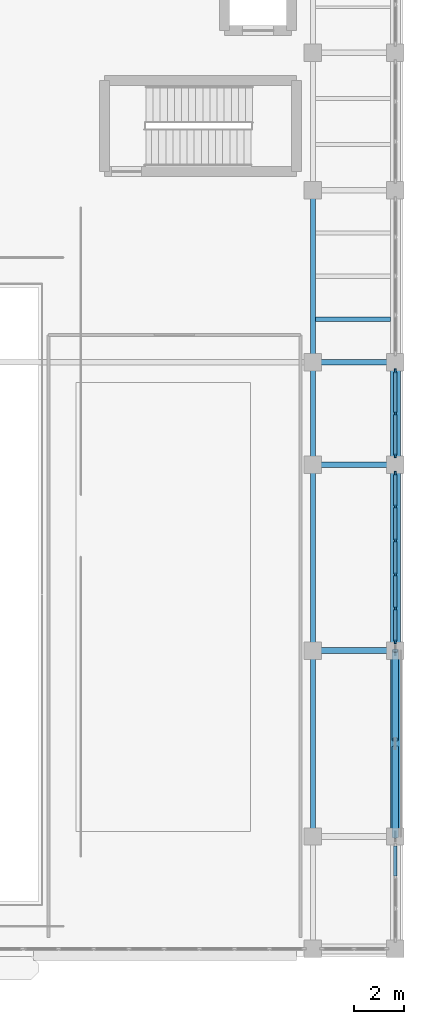
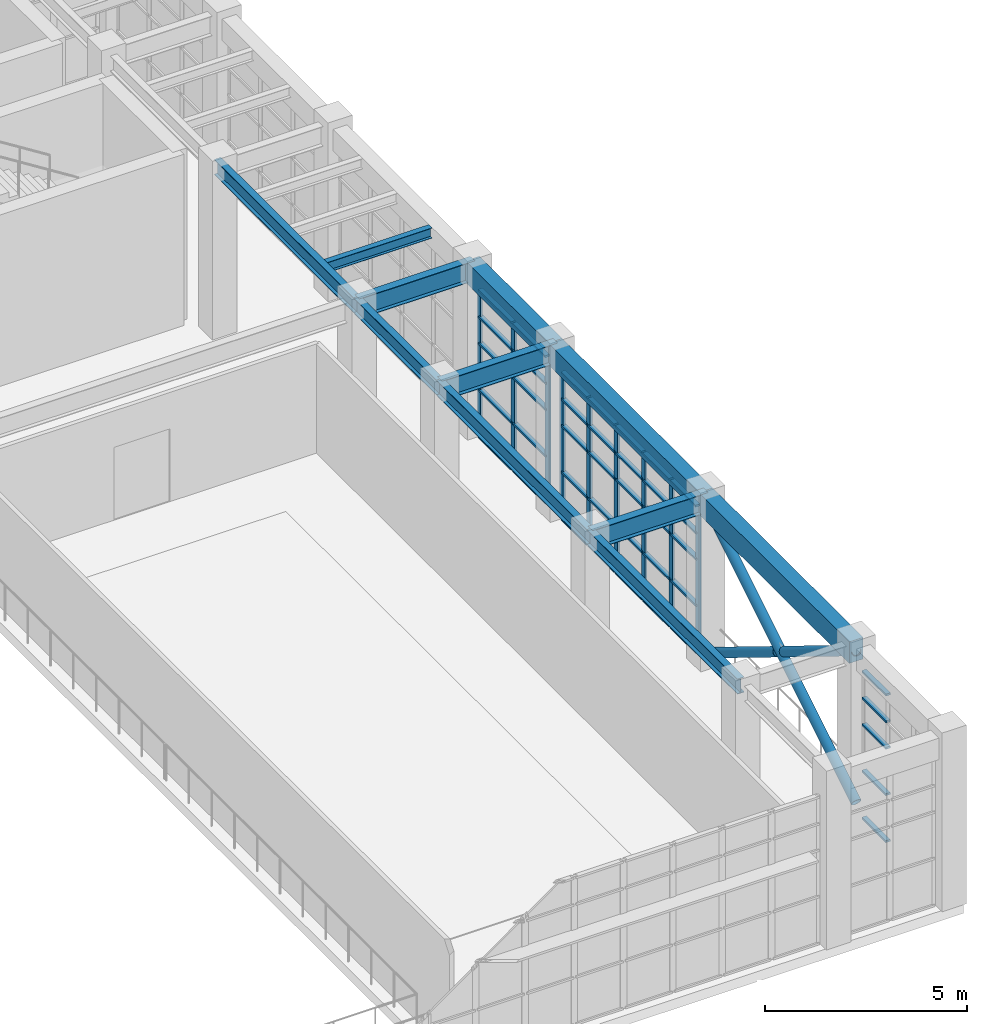
# One storey, part 41 of 103: 52 members, 11 beams, 3 elements without a shape of their own.
"""IFC4 building model written with IfcOpenShell, lengths in metres."""

from ifc_helpers import new_model, si_unit, direction, frame, origin, origin_2d, place, context, subcontext, project, spatial, rectangle, hollow_circle, i_section, extrude, material, layer, layer_set, material_profile, profile_set, type_object, element, aggregate, save


model = new_model("IFC4")

# Units and contexts
model_context = context("Model", 3, precision=1e-05, world=origin(), true_north=direction((0.0, 1.0)))
body_context = subcontext(model_context, "Body", "Model", "MODEL_VIEW")
ifc_project = project(units=[si_unit("LENGTHUNIT", "METRE"), si_unit("AREAUNIT", "SQUARE_METRE"), si_unit("VOLUMEUNIT", "CUBIC_METRE"), si_unit("PLANEANGLEUNIT", "RADIAN"), si_unit("MASSUNIT", "GRAM", prefix="KILO")], contexts=[model_context])

# Site, building, storey
site_placement = place(None, origin())
site = spatial("IfcSite", under=ifc_project, at=site_placement, CompositionType="ELEMENT")
building_placement = place(site_placement, origin())
building = spatial("IfcBuilding", under=site, at=building_placement, Name="Candilejo Ridge Gondola Terminal", CompositionType="ELEMENT")
storey_placement = place(building_placement, frame((0.0, 0.0, 9.0)))
storey = spatial("IfcBuildingStorey", under=building, at=storey_placement, Name="L02", CompositionType="ELEMENT", Elevation=9.0)

# Curtain wall, members
ifc_material_1 = material(Name="Anodised aluminium AA 6063-T6", Category="aluminium")
ifc_layer_1 = layer(ifc_material_1, 0.169921875)
ifc_layer_set_1 = layer_set([ifc_layer_1], Name="ARC-CW-HALL-3800-680X449")
curtain_wall_type_1 = type_object("IfcCurtainWallType", Name="ARC-CW-HALL-3800-680X449", PredefinedType="NOTDEFINED", material=ifc_layer_set_1)
curtain_wall_1_placement = place(storey_placement, origin())
curtain_wall_1 = element("IfcCurtainWall", 1, at=curtain_wall_1_placement, inside=storey, type_object=curtain_wall_type_1, Name="Curtain wall V4 L02-136", PredefinedType="NOTDEFINED")
ifc_material_2 = material(Name="Anodised aluminium AA 6063-T6", Category="aluminium")
ifc_material_profile_1 = material_profile(ifc_material_2, rectangle(XDim=0.06494140625, YDim=0.179931640625, at=origin_2d()))
ifc_profile_set_1 = profile_set([ifc_material_profile_1], Name="Anodised aluminium AA 6063-T6")
member_type_1 = type_object("IfcMemberType", Name="ARC-CW-MULLION-180", PredefinedType="MULLION", material=ifc_profile_set_1)
member_1_placement = place(storey_placement, frame((175.300048828125, 18.607421875, 0.0), z_axis=(0.0, 0.0, 1.0), x_axis=(-1.0, 0.0, 0.0)))
member_1 = element("IfcMember", 2, at=member_1_placement, type_object=member_type_1, Name="CW-68X44 mullion 1", PredefinedType="MULLION", context=body_context, shape_type="SweptSolid", body=[
    extrude(rectangle(XDim=0.06494140625, YDim=0.179931640625, at=origin_2d()), origin(), (0.0, 0.0, 1.0), 4.489990234375),
])
member_2_placement = place(storey_placement, frame((175.300048828125, 19.93505859375, 0.0), z_axis=(0.0, 0.0, 1.0), x_axis=(-1.0, 0.0, 0.0)))
member_2 = element("IfcMember", 3, at=member_2_placement, type_object=member_type_1, Name="CW-68X44 mullion 2", PredefinedType="MULLION", context=body_context, shape_type="SweptSolid", body=[
    extrude(rectangle(XDim=0.06494140625, YDim=0.179931640625, at=origin_2d()), origin(), (0.0, 0.0, 1.0), 4.489990234375),
])
member_3_placement = place(storey_placement, frame((175.300048828125, 21.294921875, 0.0), z_axis=(0.0, 0.0, 1.0), x_axis=(-1.0, 0.0, 0.0)))
member_3 = element("IfcMember", 4, at=member_3_placement, type_object=member_type_1, Name="CW-68X44 mullion 3", PredefinedType="MULLION", context=body_context, shape_type="SweptSolid", body=[
    extrude(rectangle(XDim=0.06494140625, YDim=0.179931640625, at=origin_2d()), origin(), (0.0, 0.0, 1.0), 4.489990234375),
])
member_4_placement = place(storey_placement, frame((175.300048828125, 22.655029296875, 0.0), z_axis=(0.0, 0.0, 1.0), x_axis=(-1.0, 0.0, 0.0)))
member_4 = element("IfcMember", 5, at=member_4_placement, type_object=member_type_1, Name="CW-68X44 mullion 4", PredefinedType="MULLION", context=body_context, shape_type="SweptSolid", body=[
    extrude(rectangle(XDim=0.06494140625, YDim=0.179931640625, at=origin_2d()), origin(), (0.0, 0.0, 1.0), 4.489990234375),
])
member_5_placement = place(storey_placement, frame((175.300048828125, 24.014892578125, 0.0), z_axis=(0.0, 0.0, 1.0), x_axis=(-1.0, 0.0, 0.0)))
member_5 = element("IfcMember", 6, at=member_5_placement, type_object=member_type_1, Name="CW-68X44 mullion 5", PredefinedType="MULLION", context=body_context, shape_type="SweptSolid", body=[
    extrude(rectangle(XDim=0.06494140625, YDim=0.179931640625, at=origin_2d()), origin(), (0.0, 0.0, 1.0), 4.489990234375),
])
member_6_placement = place(storey_placement, frame((175.300048828125, 25.342529296875, 0.0), z_axis=(0.0, 0.0, 1.0), x_axis=(-1.0, 0.0, 0.0)))
member_6 = element("IfcMember", 7, at=member_6_placement, type_object=member_type_1, Name="CW-68X44 mullion 6", PredefinedType="MULLION", context=body_context, shape_type="SweptSolid", body=[
    extrude(rectangle(XDim=0.06494140625, YDim=0.179931640625, at=origin_2d()), origin(), (0.0, 0.0, 1.0), 4.489990234375),
])

ifc_material_3 = material(Name="Anodised aluminium AA 6063-T6", Category="aluminium")
ifc_layer_2 = layer(ifc_material_3, 0.169921875)
ifc_layer_set_2 = layer_set([ifc_layer_2], Name="ARC-CW-HALL-3800-345X449")
curtain_wall_type_2 = type_object("IfcCurtainWallType", Name="ARC-CW-HALL-3800-345X449", PredefinedType="NOTDEFINED", material=ifc_layer_set_2)
curtain_wall_2_placement = place(storey_placement, origin())
curtain_wall_2 = element("IfcCurtainWall", 8, at=curtain_wall_2_placement, inside=storey, type_object=curtain_wall_type_2, Name="Curtain wall V4 L02-138", PredefinedType="NOTDEFINED")
member_7_placement = place(storey_placement, frame((175.300048828125, 26.0576171875, 0.0), z_axis=(0.0, 0.0, 1.0), x_axis=(-1.0, 0.0, 0.0)))
member_7 = element("IfcMember", 9, at=member_7_placement, type_object=member_type_1, Name="CW-34X44 mullion 1", PredefinedType="MULLION", context=body_context, shape_type="SweptSolid", body=[
    extrude(rectangle(XDim=0.06494140625, YDim=0.179931640625, at=origin_2d()), origin(), (0.0, 0.0, 1.0), 4.489990234375),
])
member_8_placement = place(storey_placement, frame((175.300048828125, 27.75, 0.0), z_axis=(0.0, 0.0, 1.0), x_axis=(-1.0, 0.0, 0.0)))
member_8 = element("IfcMember", 10, at=member_8_placement, type_object=member_type_1, Name="CW-34X44 mullion 2", PredefinedType="MULLION", context=body_context, shape_type="SweptSolid", body=[
    extrude(rectangle(XDim=0.06494140625, YDim=0.179931640625, at=origin_2d()), origin(), (0.0, 0.0, 1.0), 4.489990234375),
])
member_9_placement = place(storey_placement, frame((175.300048828125, 29.4423828125, 0.0), z_axis=(0.0, 0.0, 1.0), x_axis=(-1.0, 0.0, 0.0)))
member_9 = element("IfcMember", 11, at=member_9_placement, type_object=member_type_1, Name="CW-34X44 mullion 3", PredefinedType="MULLION", context=body_context, shape_type="SweptSolid", body=[
    extrude(rectangle(XDim=0.06494140625, YDim=0.179931640625, at=origin_2d()), origin(), (0.0, 0.0, 1.0), 4.489990234375),
])

ifc_material_4 = material(Name="Anodised aluminium AA 6063-T6", Category="aluminium")
ifc_layer_3 = layer(ifc_material_4, 0.169921875)
ifc_layer_set_3 = layer_set([ifc_layer_3], Name="ARC-CW-HALL-3800-385X449")
curtain_wall_type_3 = type_object("IfcCurtainWallType", Name="ARC-CW-HALL-3800-385X449", PredefinedType="NOTDEFINED", material=ifc_layer_set_3)
curtain_wall_3_placement = place(storey_placement, origin())
curtain_wall_3 = element("IfcCurtainWall", 12, at=curtain_wall_3_placement, inside=storey, type_object=curtain_wall_type_3, Name="Curtain wall V4 L02-133", PredefinedType="NOTDEFINED")
ifc_material_5 = material(Name="Anodised aluminium AA 6063-T6", Category="aluminium")
ifc_material_profile_2 = material_profile(ifc_material_5, rectangle(XDim=0.1298828125, YDim=0.06005859375, at=origin_2d()))
ifc_profile_set_2 = profile_set([ifc_material_profile_2], Name="Anodised aluminium AA 6063-T6")
member_type_2 = type_object("IfcMemberType", Name="ARC-CW-TRANSOM-130", PredefinedType="USERDEFINED", material=ifc_profile_set_2)
member_10_placement = place(storey_placement, frame((175.300048828125, 9.22412109375, 0.030029296875), z_axis=(0.0, 1.0, 0.0), x_axis=(-1.0, 0.0, 0.0)))
member_10 = element("IfcMember", 13, at=member_10_placement, type_object=member_type_2, Name="CW-38X44 transom 3.1", ObjectType="TRANSOM", PredefinedType="USERDEFINED", context=body_context, shape_type="SweptSolid", body=[
    extrude(rectangle(XDim=0.1298828125, YDim=0.06005859375, at=origin_2d()), origin(), (0.0, 0.0, 1.0), 1.185791015625),
])
member_11_placement = place(storey_placement, frame((175.300048828125, 9.22412109375, 1.449951171875), z_axis=(0.0, 1.0, 0.0), x_axis=(-1.0, 0.0, 0.0)))
member_11 = element("IfcMember", 14, at=member_11_placement, type_object=member_type_2, Name="CW-38X44 transom 3.2", ObjectType="TRANSOM", PredefinedType="USERDEFINED", context=body_context, shape_type="SweptSolid", body=[
    extrude(rectangle(XDim=0.1298828125, YDim=0.06005859375, at=origin_2d()), origin(), (0.0, 0.0, 1.0), 1.185791015625),
])
member_12_placement = place(storey_placement, frame((175.300048828125, 9.22412109375, 2.85009765625), z_axis=(0.0, 1.0, 0.0), x_axis=(-1.0, 0.0, 0.0)))
member_12 = element("IfcMember", 15, at=member_12_placement, type_object=member_type_2, Name="CW-38X44 transom 3.3", ObjectType="TRANSOM", PredefinedType="USERDEFINED", context=body_context, shape_type="SweptSolid", body=[
    extrude(rectangle(XDim=0.1298828125, YDim=0.06005859375, at=origin_2d()), origin(), (0.0, 0.0, 1.0), 1.185791015625),
])
member_13_placement = place(storey_placement, frame((175.300048828125, 9.22412109375, 3.64990234375), z_axis=(0.0, 1.0, 0.0), x_axis=(-1.0, 0.0, 0.0)))
member_13 = element("IfcMember", 16, at=member_13_placement, type_object=member_type_2, Name="CW-38X44 transom 3.4", ObjectType="TRANSOM", PredefinedType="USERDEFINED", context=body_context, shape_type="SweptSolid", body=[
    extrude(rectangle(XDim=0.1298828125, YDim=0.06005859375, at=origin_2d()), origin(), (0.0, 0.0, 1.0), 1.185791015625),
])
member_14_placement = place(storey_placement, frame((175.300048828125, 9.22412109375, 4.4599609375), z_axis=(0.0, 1.0, 0.0), x_axis=(-1.0, 0.0, 0.0)))
member_14 = element("IfcMember", 17, at=member_14_placement, type_object=member_type_2, Name="CW-38X44 transom 3.5", ObjectType="TRANSOM", PredefinedType="USERDEFINED", context=body_context, shape_type="SweptSolid", body=[
    extrude(rectangle(XDim=0.1298828125, YDim=0.06005859375, at=origin_2d()), origin(), (0.0, 0.0, 1.0), 1.185791015625),
])
aggregate(curtain_wall_3, [member_10, member_11, member_12, member_13, member_14])

# Member
member_15_placement = place(storey_placement, frame((175.300048828125, 18.639892578125, 0.030029296875), z_axis=(0.0, 1.0, 0.0), x_axis=(-1.0, 0.0, 0.0)))
member_15 = element("IfcMember", 18, at=member_15_placement, type_object=member_type_2, Name="CW-68X44 transom 1.1", ObjectType="TRANSOM", PredefinedType="USERDEFINED", context=body_context, shape_type="SweptSolid", body=[
    extrude(rectangle(XDim=0.1298828125, YDim=0.06005859375, at=origin_2d()), origin(), (0.0, 0.0, 1.0), 1.2626953125),
])

member_16_placement = place(storey_placement, frame((175.300048828125, 18.639892578125, 1.449951171875), z_axis=(0.0, 1.0, 0.0), x_axis=(-1.0, 0.0, 0.0)))
member_16 = element("IfcMember", 19, at=member_16_placement, type_object=member_type_2, Name="CW-68X44 transom 1.2", ObjectType="TRANSOM", PredefinedType="USERDEFINED", context=body_context, shape_type="SweptSolid", body=[
    extrude(rectangle(XDim=0.1298828125, YDim=0.06005859375, at=origin_2d()), origin(), (0.0, 0.0, 1.0), 1.2626953125),
])

member_17_placement = place(storey_placement, frame((175.300048828125, 18.639892578125, 2.85009765625), z_axis=(0.0, 1.0, 0.0), x_axis=(-1.0, 0.0, 0.0)))
member_17 = element("IfcMember", 20, at=member_17_placement, type_object=member_type_2, Name="CW-68X44 transom 1.3", ObjectType="TRANSOM", PredefinedType="USERDEFINED", context=body_context, shape_type="SweptSolid", body=[
    extrude(rectangle(XDim=0.1298828125, YDim=0.06005859375, at=origin_2d()), origin(), (0.0, 0.0, 1.0), 1.2626953125),
])

member_18_placement = place(storey_placement, frame((175.300048828125, 18.639892578125, 3.64990234375), z_axis=(0.0, 1.0, 0.0), x_axis=(-1.0, 0.0, 0.0)))
member_18 = element("IfcMember", 21, at=member_18_placement, type_object=member_type_2, Name="CW-68X44 transom 1.4", ObjectType="TRANSOM", PredefinedType="USERDEFINED", context=body_context, shape_type="SweptSolid", body=[
    extrude(rectangle(XDim=0.1298828125, YDim=0.06005859375, at=origin_2d()), origin(), (0.0, 0.0, 1.0), 1.2626953125),
])

member_19_placement = place(storey_placement, frame((175.300048828125, 18.639892578125, 4.4599609375), z_axis=(0.0, 1.0, 0.0), x_axis=(-1.0, 0.0, 0.0)))
member_19 = element("IfcMember", 22, at=member_19_placement, type_object=member_type_2, Name="CW-68X44 transom 1.5", ObjectType="TRANSOM", PredefinedType="USERDEFINED", context=body_context, shape_type="SweptSolid", body=[
    extrude(rectangle(XDim=0.1298828125, YDim=0.06005859375, at=origin_2d()), origin(), (0.0, 0.0, 1.0), 1.2626953125),
])

member_20_placement = place(storey_placement, frame((175.300048828125, 19.967529296875, 0.030029296875), z_axis=(0.0, 1.0, 0.0), x_axis=(-1.0, 0.0, 0.0)))
member_20 = element("IfcMember", 23, at=member_20_placement, type_object=member_type_2, Name="CW-68X44 transom 2.1", ObjectType="TRANSOM", PredefinedType="USERDEFINED", context=body_context, shape_type="SweptSolid", body=[
    extrude(rectangle(XDim=0.1298828125, YDim=0.06005859375, at=origin_2d()), origin(), (0.0, 0.0, 1.0), 1.294921875),
])

member_21_placement = place(storey_placement, frame((175.300048828125, 19.967529296875, 1.449951171875), z_axis=(0.0, 1.0, 0.0), x_axis=(-1.0, 0.0, 0.0)))
member_21 = element("IfcMember", 24, at=member_21_placement, type_object=member_type_2, Name="CW-68X44 transom 2.2", ObjectType="TRANSOM", PredefinedType="USERDEFINED", context=body_context, shape_type="SweptSolid", body=[
    extrude(rectangle(XDim=0.1298828125, YDim=0.06005859375, at=origin_2d()), origin(), (0.0, 0.0, 1.0), 1.294921875),
])

member_22_placement = place(storey_placement, frame((175.300048828125, 19.967529296875, 2.85009765625), z_axis=(0.0, 1.0, 0.0), x_axis=(-1.0, 0.0, 0.0)))
member_22 = element("IfcMember", 25, at=member_22_placement, type_object=member_type_2, Name="CW-68X44 transom 2.3", ObjectType="TRANSOM", PredefinedType="USERDEFINED", context=body_context, shape_type="SweptSolid", body=[
    extrude(rectangle(XDim=0.1298828125, YDim=0.06005859375, at=origin_2d()), origin(), (0.0, 0.0, 1.0), 1.294921875),
])

member_23_placement = place(storey_placement, frame((175.300048828125, 19.967529296875, 3.64990234375), z_axis=(0.0, 1.0, 0.0), x_axis=(-1.0, 0.0, 0.0)))
member_23 = element("IfcMember", 26, at=member_23_placement, type_object=member_type_2, Name="CW-68X44 transom 2.4", ObjectType="TRANSOM", PredefinedType="USERDEFINED", context=body_context, shape_type="SweptSolid", body=[
    extrude(rectangle(XDim=0.1298828125, YDim=0.06005859375, at=origin_2d()), origin(), (0.0, 0.0, 1.0), 1.294921875),
])

member_24_placement = place(storey_placement, frame((175.300048828125, 19.967529296875, 4.4599609375), z_axis=(0.0, 1.0, 0.0), x_axis=(-1.0, 0.0, 0.0)))
member_24 = element("IfcMember", 27, at=member_24_placement, type_object=member_type_2, Name="CW-68X44 transom 2.5", ObjectType="TRANSOM", PredefinedType="USERDEFINED", context=body_context, shape_type="SweptSolid", body=[
    extrude(rectangle(XDim=0.1298828125, YDim=0.06005859375, at=origin_2d()), origin(), (0.0, 0.0, 1.0), 1.294921875),
])

member_25_placement = place(storey_placement, frame((175.300048828125, 21.327392578125, 0.030029296875), z_axis=(0.0, 1.0, 0.0), x_axis=(-1.0, 0.0, 0.0)))
member_25 = element("IfcMember", 28, at=member_25_placement, type_object=member_type_2, Name="CW-68X44 transom 3.1", ObjectType="TRANSOM", PredefinedType="USERDEFINED", context=body_context, shape_type="SweptSolid", body=[
    extrude(rectangle(XDim=0.1298828125, YDim=0.06005859375, at=origin_2d()), origin(), (0.0, 0.0, 1.0), 1.295166015625),
])

member_26_placement = place(storey_placement, frame((175.300048828125, 21.327392578125, 1.449951171875), z_axis=(0.0, 1.0, 0.0), x_axis=(-1.0, 0.0, 0.0)))
member_26 = element("IfcMember", 29, at=member_26_placement, type_object=member_type_2, Name="CW-68X44 transom 3.2", ObjectType="TRANSOM", PredefinedType="USERDEFINED", context=body_context, shape_type="SweptSolid", body=[
    extrude(rectangle(XDim=0.1298828125, YDim=0.06005859375, at=origin_2d()), origin(), (0.0, 0.0, 1.0), 1.295166015625),
])

member_27_placement = place(storey_placement, frame((175.300048828125, 21.327392578125, 2.85009765625), z_axis=(0.0, 1.0, 0.0), x_axis=(-1.0, 0.0, 0.0)))
member_27 = element("IfcMember", 30, at=member_27_placement, type_object=member_type_2, Name="CW-68X44 transom 3.3", ObjectType="TRANSOM", PredefinedType="USERDEFINED", context=body_context, shape_type="SweptSolid", body=[
    extrude(rectangle(XDim=0.1298828125, YDim=0.06005859375, at=origin_2d()), origin(), (0.0, 0.0, 1.0), 1.295166015625),
])

member_28_placement = place(storey_placement, frame((175.300048828125, 21.327392578125, 3.64990234375), z_axis=(0.0, 1.0, 0.0), x_axis=(-1.0, 0.0, 0.0)))
member_28 = element("IfcMember", 31, at=member_28_placement, type_object=member_type_2, Name="CW-68X44 transom 3.4", ObjectType="TRANSOM", PredefinedType="USERDEFINED", context=body_context, shape_type="SweptSolid", body=[
    extrude(rectangle(XDim=0.1298828125, YDim=0.06005859375, at=origin_2d()), origin(), (0.0, 0.0, 1.0), 1.295166015625),
])

member_29_placement = place(storey_placement, frame((175.300048828125, 21.327392578125, 4.4599609375), z_axis=(0.0, 1.0, 0.0), x_axis=(-1.0, 0.0, 0.0)))
member_29 = element("IfcMember", 32, at=member_29_placement, type_object=member_type_2, Name="CW-68X44 transom 3.5", ObjectType="TRANSOM", PredefinedType="USERDEFINED", context=body_context, shape_type="SweptSolid", body=[
    extrude(rectangle(XDim=0.1298828125, YDim=0.06005859375, at=origin_2d()), origin(), (0.0, 0.0, 1.0), 1.295166015625),
])

member_30_placement = place(storey_placement, frame((175.300048828125, 22.6875, 0.030029296875), z_axis=(0.0, 1.0, 0.0), x_axis=(-1.0, 0.0, 0.0)))
member_30 = element("IfcMember", 33, at=member_30_placement, type_object=member_type_2, Name="CW-68X44 transom 4.1", ObjectType="TRANSOM", PredefinedType="USERDEFINED", context=body_context, shape_type="SweptSolid", body=[
    extrude(rectangle(XDim=0.1298828125, YDim=0.06005859375, at=origin_2d()), origin(), (0.0, 0.0, 1.0), 1.294921875),
])

member_31_placement = place(storey_placement, frame((175.300048828125, 22.6875, 1.449951171875), z_axis=(0.0, 1.0, 0.0), x_axis=(-1.0, 0.0, 0.0)))
member_31 = element("IfcMember", 34, at=member_31_placement, type_object=member_type_2, Name="CW-68X44 transom 4.2", ObjectType="TRANSOM", PredefinedType="USERDEFINED", context=body_context, shape_type="SweptSolid", body=[
    extrude(rectangle(XDim=0.1298828125, YDim=0.06005859375, at=origin_2d()), origin(), (0.0, 0.0, 1.0), 1.294921875),
])

member_32_placement = place(storey_placement, frame((175.300048828125, 22.6875, 2.85009765625), z_axis=(0.0, 1.0, 0.0), x_axis=(-1.0, 0.0, 0.0)))
member_32 = element("IfcMember", 35, at=member_32_placement, type_object=member_type_2, Name="CW-68X44 transom 4.3", ObjectType="TRANSOM", PredefinedType="USERDEFINED", context=body_context, shape_type="SweptSolid", body=[
    extrude(rectangle(XDim=0.1298828125, YDim=0.06005859375, at=origin_2d()), origin(), (0.0, 0.0, 1.0), 1.294921875),
])

member_33_placement = place(storey_placement, frame((175.300048828125, 22.6875, 3.64990234375), z_axis=(0.0, 1.0, 0.0), x_axis=(-1.0, 0.0, 0.0)))
member_33 = element("IfcMember", 36, at=member_33_placement, type_object=member_type_2, Name="CW-68X44 transom 4.4", ObjectType="TRANSOM", PredefinedType="USERDEFINED", context=body_context, shape_type="SweptSolid", body=[
    extrude(rectangle(XDim=0.1298828125, YDim=0.06005859375, at=origin_2d()), origin(), (0.0, 0.0, 1.0), 1.294921875),
])

member_34_placement = place(storey_placement, frame((175.300048828125, 22.6875, 4.4599609375), z_axis=(0.0, 1.0, 0.0), x_axis=(-1.0, 0.0, 0.0)))
member_34 = element("IfcMember", 37, at=member_34_placement, type_object=member_type_2, Name="CW-68X44 transom 4.5", ObjectType="TRANSOM", PredefinedType="USERDEFINED", context=body_context, shape_type="SweptSolid", body=[
    extrude(rectangle(XDim=0.1298828125, YDim=0.06005859375, at=origin_2d()), origin(), (0.0, 0.0, 1.0), 1.294921875),
])

member_35_placement = place(storey_placement, frame((175.300048828125, 24.047607421875, 0.030029296875), z_axis=(0.0, 1.0, 0.0), x_axis=(-1.0, 0.0, 0.0)))
member_35 = element("IfcMember", 38, at=member_35_placement, type_object=member_type_2, Name="CW-68X44 transom 5.1", ObjectType="TRANSOM", PredefinedType="USERDEFINED", context=body_context, shape_type="SweptSolid", body=[
    extrude(rectangle(XDim=0.1298828125, YDim=0.06005859375, at=origin_2d()), origin(), (0.0, 0.0, 1.0), 1.262451171875),
])

member_36_placement = place(storey_placement, frame((175.300048828125, 24.047607421875, 1.449951171875), z_axis=(0.0, 1.0, 0.0), x_axis=(-1.0, 0.0, 0.0)))
member_36 = element("IfcMember", 39, at=member_36_placement, type_object=member_type_2, Name="CW-68X44 transom 5.2", ObjectType="TRANSOM", PredefinedType="USERDEFINED", context=body_context, shape_type="SweptSolid", body=[
    extrude(rectangle(XDim=0.1298828125, YDim=0.06005859375, at=origin_2d()), origin(), (0.0, 0.0, 1.0), 1.262451171875),
])

member_37_placement = place(storey_placement, frame((175.300048828125, 24.047607421875, 2.85009765625), z_axis=(0.0, 1.0, 0.0), x_axis=(-1.0, 0.0, 0.0)))
member_37 = element("IfcMember", 40, at=member_37_placement, type_object=member_type_2, Name="CW-68X44 transom 5.3", ObjectType="TRANSOM", PredefinedType="USERDEFINED", context=body_context, shape_type="SweptSolid", body=[
    extrude(rectangle(XDim=0.1298828125, YDim=0.06005859375, at=origin_2d()), origin(), (0.0, 0.0, 1.0), 1.262451171875),
])

member_38_placement = place(storey_placement, frame((175.300048828125, 24.047607421875, 3.64990234375), z_axis=(0.0, 1.0, 0.0), x_axis=(-1.0, 0.0, 0.0)))
member_38 = element("IfcMember", 41, at=member_38_placement, type_object=member_type_2, Name="CW-68X44 transom 5.4", ObjectType="TRANSOM", PredefinedType="USERDEFINED", context=body_context, shape_type="SweptSolid", body=[
    extrude(rectangle(XDim=0.1298828125, YDim=0.06005859375, at=origin_2d()), origin(), (0.0, 0.0, 1.0), 1.262451171875),
])

member_39_placement = place(storey_placement, frame((175.300048828125, 24.047607421875, 4.4599609375), z_axis=(0.0, 1.0, 0.0), x_axis=(-1.0, 0.0, 0.0)))
member_39 = element("IfcMember", 42, at=member_39_placement, type_object=member_type_2, Name="CW-68X44 transom 5.5", ObjectType="TRANSOM", PredefinedType="USERDEFINED", context=body_context, shape_type="SweptSolid", body=[
    extrude(rectangle(XDim=0.1298828125, YDim=0.06005859375, at=origin_2d()), origin(), (0.0, 0.0, 1.0), 1.262451171875),
])

aggregate(curtain_wall_1, [member_1, member_2, member_3, member_4, member_5, member_6, member_15, member_16, member_17, member_18, member_19, member_20, member_21, member_22, member_23, member_24, member_25, member_26, member_27, member_28, member_29, member_30, member_31, member_32, member_33, member_34, member_35, member_36, member_37, member_38, member_39])

member_40_placement = place(storey_placement, frame((175.300048828125, 26.090087890625, 0.030029296875), z_axis=(0.0, 1.0, 0.0), x_axis=(-1.0, 0.0, 0.0)))
member_40 = element("IfcMember", 43, at=member_40_placement, type_object=member_type_2, Name="CW-34X44 transom 1.1", ObjectType="TRANSOM", PredefinedType="USERDEFINED", context=body_context, shape_type="SweptSolid", body=[
    extrude(rectangle(XDim=0.1298828125, YDim=0.06005859375, at=origin_2d()), origin(), (0.0, 0.0, 1.0), 1.62744140625),
])

member_41_placement = place(storey_placement, frame((175.300048828125, 26.090087890625, 1.449951171875), z_axis=(0.0, 1.0, 0.0), x_axis=(-1.0, 0.0, 0.0)))
member_41 = element("IfcMember", 44, at=member_41_placement, type_object=member_type_2, Name="CW-34X44 transom 1.2", ObjectType="TRANSOM", PredefinedType="USERDEFINED", context=body_context, shape_type="SweptSolid", body=[
    extrude(rectangle(XDim=0.1298828125, YDim=0.06005859375, at=origin_2d()), origin(), (0.0, 0.0, 1.0), 1.62744140625),
])

member_42_placement = place(storey_placement, frame((175.300048828125, 26.090087890625, 2.85009765625), z_axis=(0.0, 1.0, 0.0), x_axis=(-1.0, 0.0, 0.0)))
member_42 = element("IfcMember", 45, at=member_42_placement, type_object=member_type_2, Name="CW-34X44 transom 1.3", ObjectType="TRANSOM", PredefinedType="USERDEFINED", context=body_context, shape_type="SweptSolid", body=[
    extrude(rectangle(XDim=0.1298828125, YDim=0.06005859375, at=origin_2d()), origin(), (0.0, 0.0, 1.0), 1.62744140625),
])

member_43_placement = place(storey_placement, frame((175.300048828125, 26.090087890625, 3.64990234375), z_axis=(0.0, 1.0, 0.0), x_axis=(-1.0, 0.0, 0.0)))
member_43 = element("IfcMember", 46, at=member_43_placement, type_object=member_type_2, Name="CW-34X44 transom 1.4", ObjectType="TRANSOM", PredefinedType="USERDEFINED", context=body_context, shape_type="SweptSolid", body=[
    extrude(rectangle(XDim=0.1298828125, YDim=0.06005859375, at=origin_2d()), origin(), (0.0, 0.0, 1.0), 1.62744140625),
])

member_44_placement = place(storey_placement, frame((175.300048828125, 26.090087890625, 4.4599609375), z_axis=(0.0, 1.0, 0.0), x_axis=(-1.0, 0.0, 0.0)))
member_44 = element("IfcMember", 47, at=member_44_placement, type_object=member_type_2, Name="CW-34X44 transom 1.5", ObjectType="TRANSOM", PredefinedType="USERDEFINED", context=body_context, shape_type="SweptSolid", body=[
    extrude(rectangle(XDim=0.1298828125, YDim=0.06005859375, at=origin_2d()), origin(), (0.0, 0.0, 1.0), 1.62744140625),
])

member_45_placement = place(storey_placement, frame((175.300048828125, 27.782470703125, 0.030029296875), z_axis=(0.0, 1.0, 0.0), x_axis=(-1.0, 0.0, 0.0)))
member_45 = element("IfcMember", 48, at=member_45_placement, type_object=member_type_2, Name="CW-34X44 transom 2.1", ObjectType="TRANSOM", PredefinedType="USERDEFINED", context=body_context, shape_type="SweptSolid", body=[
    extrude(rectangle(XDim=0.1298828125, YDim=0.06005859375, at=origin_2d()), origin(), (0.0, 0.0, 1.0), 1.62744140625),
])

member_46_placement = place(storey_placement, frame((175.300048828125, 27.782470703125, 1.449951171875), z_axis=(0.0, 1.0, 0.0), x_axis=(-1.0, 0.0, 0.0)))
member_46 = element("IfcMember", 49, at=member_46_placement, type_object=member_type_2, Name="CW-34X44 transom 2.2", ObjectType="TRANSOM", PredefinedType="USERDEFINED", context=body_context, shape_type="SweptSolid", body=[
    extrude(rectangle(XDim=0.1298828125, YDim=0.06005859375, at=origin_2d()), origin(), (0.0, 0.0, 1.0), 1.62744140625),
])

member_47_placement = place(storey_placement, frame((175.300048828125, 27.782470703125, 2.85009765625), z_axis=(0.0, 1.0, 0.0), x_axis=(-1.0, 0.0, 0.0)))
member_47 = element("IfcMember", 50, at=member_47_placement, type_object=member_type_2, Name="CW-34X44 transom 2.3", ObjectType="TRANSOM", PredefinedType="USERDEFINED", context=body_context, shape_type="SweptSolid", body=[
    extrude(rectangle(XDim=0.1298828125, YDim=0.06005859375, at=origin_2d()), origin(), (0.0, 0.0, 1.0), 1.62744140625),
])

member_48_placement = place(storey_placement, frame((175.300048828125, 27.782470703125, 3.64990234375), z_axis=(0.0, 1.0, 0.0), x_axis=(-1.0, 0.0, 0.0)))
member_48 = element("IfcMember", 51, at=member_48_placement, type_object=member_type_2, Name="CW-34X44 transom 2.4", ObjectType="TRANSOM", PredefinedType="USERDEFINED", context=body_context, shape_type="SweptSolid", body=[
    extrude(rectangle(XDim=0.1298828125, YDim=0.06005859375, at=origin_2d()), origin(), (0.0, 0.0, 1.0), 1.62744140625),
])

member_49_placement = place(storey_placement, frame((175.300048828125, 27.782470703125, 4.4599609375), z_axis=(0.0, 1.0, 0.0), x_axis=(-1.0, 0.0, 0.0)))
member_49 = element("IfcMember", 52, at=member_49_placement, type_object=member_type_2, Name="CW-34X44 transom 2.5", ObjectType="TRANSOM", PredefinedType="USERDEFINED", context=body_context, shape_type="SweptSolid", body=[
    extrude(rectangle(XDim=0.1298828125, YDim=0.06005859375, at=origin_2d()), origin(), (0.0, 0.0, 1.0), 1.62744140625),
])

aggregate(curtain_wall_2, [member_7, member_8, member_9, member_40, member_41, member_42, member_43, member_44, member_45, member_46, member_47, member_48, member_49])

# Beams
ifc_material_6 = material(Name="Steel ASTM A992 Grade 50", Category="steel")
ifc_material_profile_3 = material_profile(ifc_material_6, i_section(OverallWidth=0.19189453125, OverallDepth=0.462890625, WebThickness=0.010498046875, FlangeThickness=0.017578125, at=origin_2d()))
ifc_profile_set_3 = profile_set([ifc_material_profile_3], Name="Steel ASTM A992 Grade 50")
beam_type_1 = type_object("IfcBeamType", Name="STR-BM-W460X89", PredefinedType="BEAM", material=ifc_profile_set_3)
for number, where, z_axis, x_axis, name in (
    (53, (172.0, 10.800048828125, 4.928466796875), (0.0, 1.0, 0.0), (-1.0, 0.0, 0.0), "Beam Y V4 L02 Y02-Y03@X26"),
    (54, (172.0, 18.25, 4.928466796875), (0.0, 1.0, 0.0), (-1.0, 0.0, 0.0), "Beam Y V4 L02 Y03-Y05@X26"),
):
    element("IfcBeam", number, at=place(storey_placement, frame(where, z_axis=z_axis, x_axis=x_axis)), inside=storey, type_object=beam_type_1, Name=name, PredefinedType="BEAM", context=body_context, shape_type="SweptSolid", body=[
        extrude(i_section(OverallWidth=0.19189453125, OverallDepth=0.462890625, WebThickness=0.010498046875, FlangeThickness=0.017578125, at=origin_2d()), origin(), (0.0, 0.0, 1.0), 7.449951171875),
    ])
beam_1_placement = place(storey_placement, frame((172.0, 25.699951171875, 4.928466796875), z_axis=(0.0, 1.0, 0.0), x_axis=(-1.0, 0.0, 0.0)))
element("IfcBeam", 55, at=beam_1_placement, inside=storey, type_object=beam_type_1, Name="Beam Y V4 L02 Y05-Y06@X26", PredefinedType="BEAM", context=body_context, shape_type="SweptSolid", body=[
    extrude(i_section(OverallWidth=0.19189453125, OverallDepth=0.462890625, WebThickness=0.010498046875, FlangeThickness=0.017578125, at=origin_2d()), origin(), (0.0, 0.0, 1.0), 4.10009765625),
])
beam_2_placement = place(storey_placement, frame((172.0, 29.800048828125, 4.928466796875), z_axis=(0.0, 1.0, 0.0), x_axis=(-1.0, 0.0, 0.0)))
element("IfcBeam", 56, at=beam_2_placement, inside=storey, type_object=beam_type_1, Name="Beam Y V4 L02 Y06-Y07@X26", PredefinedType="BEAM", context=body_context, shape_type="SweptSolid", body=[
    extrude(i_section(OverallWidth=0.19189453125, OverallDepth=0.462890625, WebThickness=0.010498046875, FlangeThickness=0.017578125, at=origin_2d()), origin(), (0.0, 0.0, 1.0), 6.89990234375),
])
ifc_material_7 = material(Name="Steel ASTM A992 Grade 50", Category="steel")
ifc_material_profile_4 = material_profile(ifc_material_7, i_section(OverallWidth=0.22802734375, OverallDepth=0.60302734375, WebThickness=0.010498046875, FlangeThickness=0.014892578125, at=origin_2d()))
ifc_profile_set_4 = profile_set([ifc_material_profile_4], Name="Steel ASTM A992 Grade 50")
beam_type_2 = type_object("IfcBeamType", Name="STR-BM-W610X101", PredefinedType="BEAM", material=ifc_profile_set_4)
for number, where, z_axis, x_axis, name in (
    (57, (172.0, 18.25, 4.8583984375), (1.0, 0.0, 0.0), (0.0, 1.0, 0.0), "Beam X V4 L02 X26-X27@Y03"),
    (58, (172.0, 25.699951171875, 4.8583984375), (1.0, 0.0, 0.0), (0.0, 1.0, 0.0), "Beam X V4 L02 X26-X27@Y05"),
    (59, (172.0, 29.800048828125, 4.8583984375), (1.0, 0.0, 0.0), (0.0, 1.0, 0.0), "Beam X V4 L02 X26-X27@Y06"),
):
    element("IfcBeam", number, at=place(storey_placement, frame(where, z_axis=z_axis, x_axis=x_axis)), inside=storey, type_object=beam_type_2, Name=name, PredefinedType="BEAM", context=body_context, shape_type="SweptSolid", body=[
        extrude(i_section(OverallWidth=0.22802734375, OverallDepth=0.60302734375, WebThickness=0.010498046875, FlangeThickness=0.014892578125, at=origin_2d()), origin(), (0.0, 0.0, 1.0), 3.300048828125),
    ])

# Members
ifc_material_8 = material(Name="Steel ASTM A500 Grade C", Category="steel")
ifc_material_profile_5 = material_profile(ifc_material_8, hollow_circle(Radius=0.136474609375, WallThickness=0.00927734375, at=origin_2d()))
ifc_profile_set_5 = profile_set([ifc_material_profile_5], Name="Steel ASTM A500 Grade C")
member_type_3 = type_object("IfcMemberType", Name="STR-BRC-CHS273", PredefinedType="BRACE", material=ifc_profile_set_5)
member_50_placement = place(storey_placement, frame((175.300048828125, 10.800048828125, 0.25), z_axis=(0.0, 0.851639151246, 0.524128568258), x_axis=(-1.0, 0.0, 0.0)))
element("IfcMember", 60, at=member_50_placement, inside=storey, type_object=member_type_3, Name="X-brace continuous diagonal V4 L02-06A", PredefinedType="BRACE", context=body_context, shape_type="SweptSolid", body=[
    extrude(hollow_circle(Radius=0.136474609375, WallThickness=0.00927734375, at=origin_2d()), origin(), (0.0, 0.0, 1.0), 8.747802734375),
])
for number, where, z_axis, x_axis, name in (
    (61, (175.300048828125, 10.800048828125, 4.8349609375), (0.0, 0.851632300892, -0.524139699009), (-1.0, 0.0, 0.0), "X-brace split upper segment V4 L02-06B"),
    (62, (175.300048828125, 14.6826171875, 2.445556640625), (0.0, 0.851632300892, -0.524139699009), (-1.0, 0.0, 0.0), "X-brace split lower segment V4 L02-06C"),
):
    element("IfcMember", number, at=place(storey_placement, frame(where, z_axis=z_axis, x_axis=x_axis)), inside=storey, type_object=member_type_3, Name=name, PredefinedType="BRACE", context=body_context, shape_type="SweptSolid", body=[
        extrude(hollow_circle(Radius=0.136474609375, WallThickness=0.00927734375, at=origin_2d()), origin(), (0.0, 0.0, 1.0), 4.18896484375),
    ])

# Beams
ifc_material_9 = material(Name="Steel ASTM A992 Grade 50", Category="steel")
ifc_material_profile_6 = material_profile(ifc_material_9, i_section(OverallWidth=0.166015625, OverallDepth=0.31298828125, WebThickness=0.006591796875, FlangeThickness=0.01123046875, at=origin_2d()))
ifc_profile_set_6 = profile_set([ifc_material_profile_6], Name="Steel ASTM A992 Grade 50")
beam_type_3 = type_object("IfcBeamType", Name="STR-JST-W310X44", PredefinedType="JOIST", material=ifc_profile_set_6)
beam_3_placement = place(storey_placement, frame((172.095947265625, 31.52490234375, 5.00341796875), z_axis=(1.0, 0.0, 0.0), x_axis=(0.0, 1.0, 0.0)))
element("IfcBeam", 63, at=beam_3_placement, inside=storey, type_object=beam_type_3, Name="Composite joist V4 L02-0984", PredefinedType="JOIST", context=body_context, shape_type="SweptSolid", body=[
    extrude(i_section(OverallWidth=0.166015625, OverallDepth=0.31298828125, WebThickness=0.006591796875, FlangeThickness=0.01123046875, at=origin_2d()), origin(), (0.0, 0.0, 1.0), 3.004150390625),
])
ifc_material_10 = material(Name="Concrete f'c 35 MPa (C35/45)", Category="concrete")
ifc_material_profile_7 = material_profile(ifc_material_10, rectangle(XDim=0.39990234375, YDim=0.64990234375, at=origin_2d()))
ifc_profile_set_7 = profile_set([ifc_material_profile_7], Name="Concrete f'c 35 MPa (C35/45)")
beam_type_4 = type_object("IfcBeamType", Name="STR-SPN-RC400X650", PredefinedType="SPANDREL", material=ifc_profile_set_7)
for number, where, z_axis, x_axis, name in (
    (64, (175.300048828125, 10.800048828125, 4.8349609375), (0.0, 1.0, 0.0), (-1.0, 0.0, 0.0), "Beam Y V4 L02 Y02-Y03@X27"),
    (65, (175.300048828125, 18.25, 4.8349609375), (0.0, 1.0, 0.0), (-1.0, 0.0, 0.0), "Beam Y V4 L02 Y03-Y05@X27"),
):
    element("IfcBeam", number, at=place(storey_placement, frame(where, z_axis=z_axis, x_axis=x_axis)), inside=storey, type_object=beam_type_4, Name=name, PredefinedType="SPANDREL", context=body_context, shape_type="SweptSolid", body=[
        extrude(rectangle(XDim=0.39990234375, YDim=0.64990234375, at=origin_2d()), origin(), (0.0, 0.0, 1.0), 7.449951171875),
    ])
beam_4_placement = place(storey_placement, frame((175.300048828125, 25.699951171875, 4.8349609375), z_axis=(0.0, 1.0, 0.0), x_axis=(-1.0, 0.0, 0.0)))
element("IfcBeam", 66, at=beam_4_placement, inside=storey, type_object=beam_type_4, Name="Beam Y V4 L02 Y05-Y06@X27", PredefinedType="SPANDREL", context=body_context, shape_type="SweptSolid", body=[
    extrude(rectangle(XDim=0.39990234375, YDim=0.64990234375, at=origin_2d()), origin(), (0.0, 0.0, 1.0), 4.10009765625),
])

save(model, "model.ifc")
